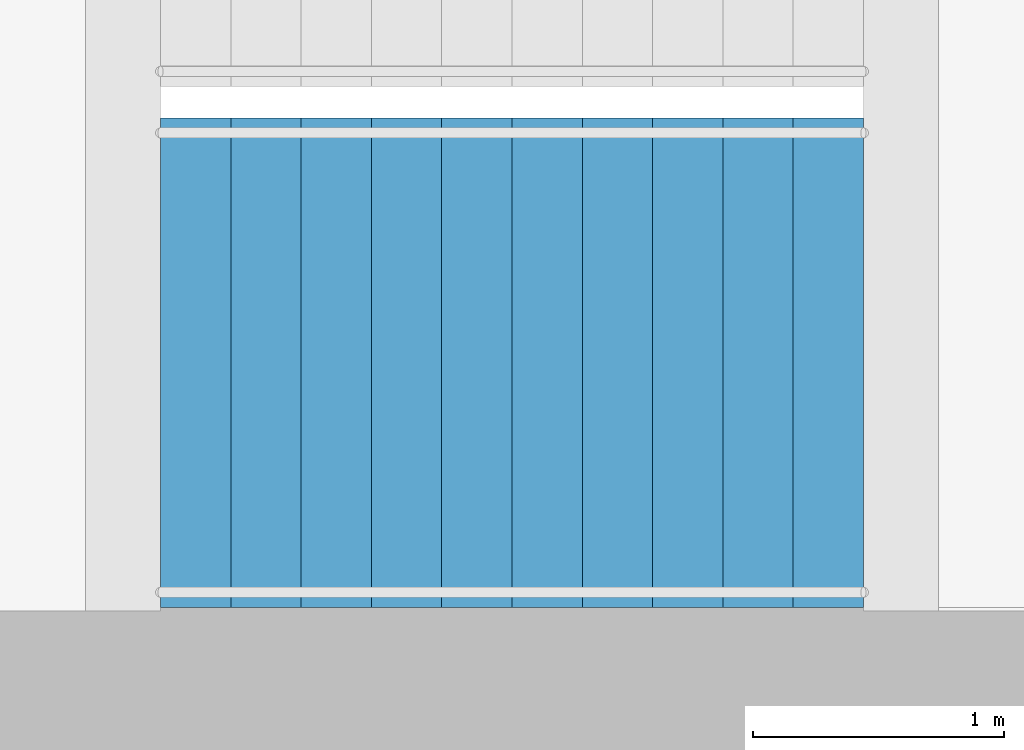
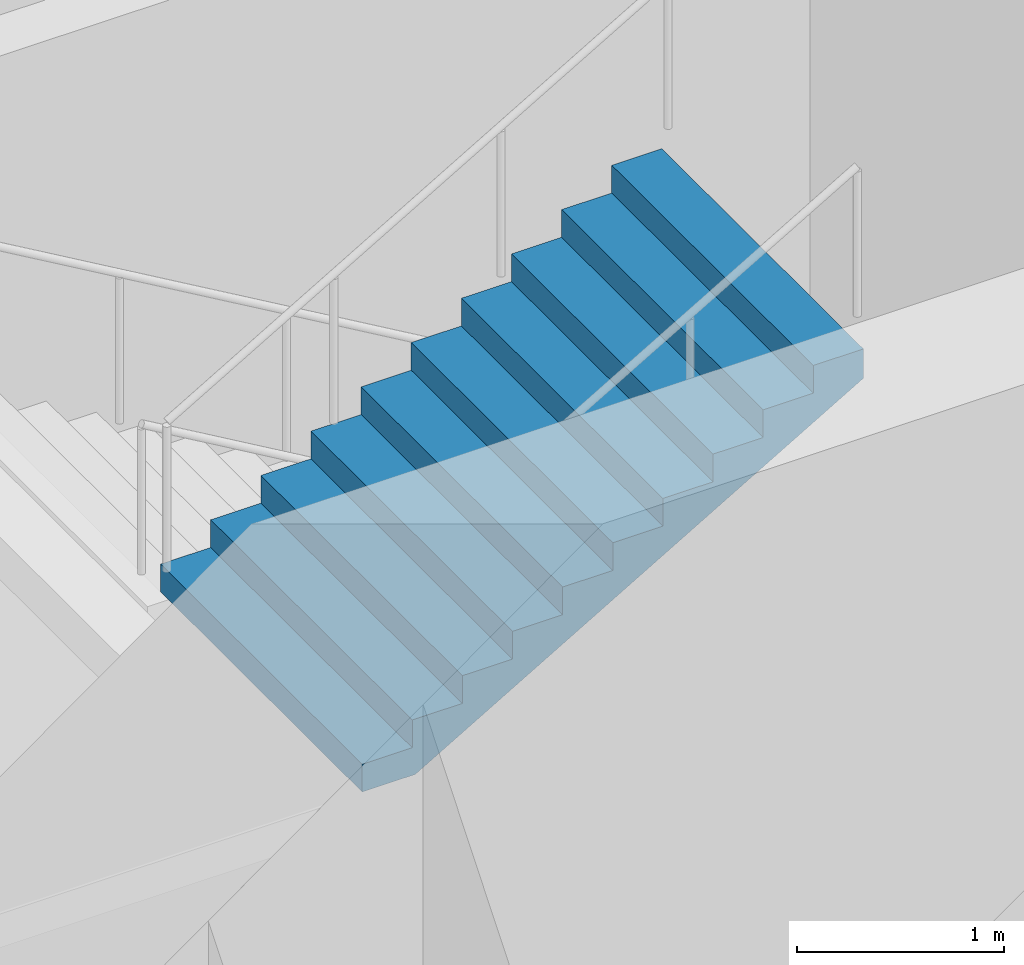
# One storey, part 19 of 22: 1 stair flight, 1 element without a shape of its own.
"""IFC4 building model written with IfcOpenShell, lengths in metres."""

from ifc_helpers import new_model, si_unit, direction, frame, origin, place, context, subcontext, project, spatial, triangles, material, type_object, element, aggregate, save


model = new_model("IFC4")

# Units and contexts
model_context = context("Model", 3, precision=1e-05, world=origin(), true_north=direction((0.0, 1.0)))
body_context = subcontext(model_context, "Body", "Model", "MODEL_VIEW")
ifc_project = project(units=[si_unit("LENGTHUNIT", "METRE"), si_unit("AREAUNIT", "SQUARE_METRE"), si_unit("VOLUMEUNIT", "CUBIC_METRE"), si_unit("PLANEANGLEUNIT", "RADIAN"), si_unit("MASSUNIT", "GRAM", prefix="KILO")], contexts=[model_context])

# Site, building, storey
site_placement = place(None, origin())
site = spatial("IfcSite", under=ifc_project, at=site_placement, CompositionType="ELEMENT")
building_placement = place(site_placement, origin())
building = spatial("IfcBuilding", under=site, at=building_placement, Name="Orbita Commons", CompositionType="ELEMENT")
storey_placement = place(building_placement, frame((0.0, 0.0, 201.10009765625)))
storey = spatial("IfcBuildingStorey", under=building, at=storey_placement, Name="L50", CompositionType="ELEMENT", Elevation=201.10009765625)

# Stair, stair flight
ifc_material_1 = material(Name="Precast concrete C40/50", Category="concrete")
stair_type = type_object("IfcStairType", Name="Exit stair S2 4 flights 11 risers 164", PredefinedType="HALF_TURN_STAIR", material=ifc_material_1)
stair_placement = place(storey_placement, origin())
stair = element("IfcStair", 1, at=stair_placement, inside=storey, type_object=stair_type, Name="Exit stair S2 L50", PredefinedType="HALF_TURN_STAIR")
ifc_material_2 = material(Name="Precast concrete C40/50", Category="concrete")
stair_flight_type = type_object("IfcStairFlightType", Name="Stair flight 11 risers 164 x 280", PredefinedType="STRAIGHT", material=ifc_material_2)
stair_flight_placement = place(storey_placement, frame((60.75, 27.199951171875, 5.39990234375), z_axis=(0.0, 0.0, 1.0), x_axis=(1.0, 0.0, 0.0)))
stair_flight = element("IfcStairFlight", 2, at=stair_flight_placement, type_object=stair_flight_type, Name="S2 flight 4", NumberOfRisers=11, NumberOfTreads=10, PredefinedType="STRAIGHT", RiserHeight=0.163636364, TreadLength=0.28, context=body_context, shape_type="Tessellation", body=[
    triangles([(0.0, 0.974976, 0.0), (0.0, 0.974976, 0.020455), (0.0, 0.81248, 0.020455), (0.0, 0.81248, 0.0), (0.0, 0.649984, 0.020455), (0.0, 0.649984, 0.0), (0.0, 0.487488, 0.020455), (0.0, 0.487488, 0.0), (0.0, 0.324992, 0.020455), (0.0, 0.324992, 0.0), (0.0, 0.162496, 0.020455), (0.0, 0.162496, 0.0), (0.0, 0.0, 0.020455), (0.0, 0.0, 0.0), (0.0, -0.162496, 0.020455), (0.0, -0.162496, 0.0), (0.0, -0.324992, 0.020455), (0.0, -0.324992, 0.0), (0.0, -0.487488, 0.020455), (0.0, -0.487488, 0.0), (0.0, -0.649984, 0.020455), (0.0, -0.649984, 0.0), (0.0, -0.81248, 0.020455), (0.0, -0.81248, 0.0), (0.0, -0.974976, 0.020455), (0.0, -0.974976, 0.0), (0.0, 0.974976, 0.040909), (0.0, 0.81248, 0.040909), (0.0, 0.649984, 0.040909), (0.0, 0.487488, 0.040909), (0.0, 0.324992, 0.040909), (0.0, 0.162496, 0.040909), (0.0, 0.0, 0.040909), (0.0, -0.162496, 0.040909), (0.0, -0.324992, 0.040909), (0.0, -0.487488, 0.040909), (0.0, -0.649984, 0.040909), (0.0, -0.81248, 0.040909), (0.0, -0.974976, 0.040909), (0.0, 0.974976, 0.061364), (0.0, 0.81248, 0.061364), (0.0, 0.649984, 0.061364), (0.0, 0.487488, 0.061364), (0.0, 0.324992, 0.061364), (0.0, 0.162496, 0.061364), (0.0, 0.0, 0.061364), (0.0, -0.162496, 0.061364), (0.0, -0.324992, 0.061364), (0.0, -0.487488, 0.061364), (0.0, -0.649984, 0.061364), (0.0, -0.81248, 0.061364), (0.0, -0.974976, 0.061364), (0.0, 0.974976, 0.081818), (0.0, 0.81248, 0.081818), (0.0, 0.649984, 0.081818), (0.0, 0.487488, 0.081818), (0.0, 0.324992, 0.081818), (0.0, 0.162496, 0.081818), (0.0, 0.0, 0.081818), (0.0, -0.162496, 0.081818), (0.0, -0.324992, 0.081818), (0.0, -0.487488, 0.081818), (0.0, -0.649984, 0.081818), (0.0, -0.81248, 0.081818), (0.0, -0.974976, 0.081818), (0.0, 0.974976, 0.102273), (0.0, 0.81248, 0.102273), (0.0, 0.649984, 0.102273), (0.0, 0.487488, 0.102273), (0.0, 0.324992, 0.102273), (0.0, 0.162496, 0.102273), (0.0, 0.0, 0.102273), (0.0, -0.162496, 0.102273), (0.0, -0.324992, 0.102273), (0.0, -0.487488, 0.102273), (0.0, -0.649984, 0.102273), (0.0, -0.81248, 0.102273), (0.0, -0.974976, 0.102273), (0.0, 0.974976, 0.122727), (0.0, 0.81248, 0.122727), (0.0, 0.649984, 0.122727), (0.0, 0.487488, 0.122727), (0.0, 0.324992, 0.122727), (0.0, 0.162496, 0.122727), (0.0, 0.0, 0.122727), (0.0, -0.162496, 0.122727), (0.0, -0.324992, 0.122727), (0.0, -0.487488, 0.122727), (0.0, -0.649984, 0.122727), (0.0, -0.81248, 0.122727), (0.0, -0.974976, 0.122727), (0.0, 0.974976, 0.143182), (0.0, 0.81248, 0.143182), (0.0, 0.649984, 0.143182), (0.0, 0.487488, 0.143182), (0.0, 0.324992, 0.143182), (0.0, 0.162496, 0.143182), (0.0, 0.0, 0.143182), (0.0, -0.162496, 0.143182), (0.0, -0.324992, 0.143182), (0.0, -0.487488, 0.143182), (0.0, -0.649984, 0.143182), (0.0, -0.81248, 0.143182), (0.0, -0.974976, 0.143182), (0.0, 0.974976, 0.163636), (0.0, 0.81248, 0.163636), (0.0, 0.649984, 0.163636), (0.0, 0.487488, 0.163636), (0.0, 0.324992, 0.163636), (0.0, 0.162496, 0.163636), (0.0, 0.0, 0.163636), (0.0, -0.162496, 0.163636), (0.0, -0.324992, 0.163636), (0.0, -0.487488, 0.163636), (0.0, -0.649984, 0.163636), (0.0, -0.81248, 0.163636), (0.0, -0.974976, 0.163636), (0.28, 0.974976, 0.163636), (0.28, 0.81248, 0.163636), (0.28, 0.649984, 0.163636), (0.28, 0.487488, 0.163636), (0.28, 0.324992, 0.163636), (0.28, 0.162496, 0.163636), (0.28, 0.0, 0.163636), (0.28, -0.162496, 0.163636), (0.28, -0.324992, 0.163636), (0.28, -0.487488, 0.163636), (0.28, -0.649984, 0.163636), (0.28, -0.81248, 0.163636), (0.28, -0.974976, 0.163636), (0.28, 0.974976, 0.327273), (0.28, 0.81248, 0.327273), (0.28, 0.649984, 0.327273), (0.28, 0.487488, 0.327273), (0.28, 0.324992, 0.327273), (0.28, 0.162496, 0.327273), (0.28, 0.0, 0.327273), (0.28, -0.162496, 0.327273), (0.28, -0.324992, 0.327273), (0.28, -0.487488, 0.327273), (0.28, -0.649984, 0.327273), (0.28, -0.81248, 0.327273), (0.28, -0.974976, 0.327273), (0.56, 0.974976, 0.327273), (0.56, 0.81248, 0.327273), (0.56, 0.649984, 0.327273), (0.56, 0.487488, 0.327273), (0.56, 0.324992, 0.327273), (0.56, 0.162496, 0.327273), (0.56, 0.0, 0.327273), (0.56, -0.162496, 0.327273), (0.56, -0.324992, 0.327273), (0.56, -0.487488, 0.327273), (0.56, -0.649984, 0.327273), (0.56, -0.81248, 0.327273), (0.56, -0.974976, 0.327273), (0.56, 0.974976, 0.490909), (0.56, 0.81248, 0.490909), (0.56, 0.649984, 0.490909), (0.56, 0.487488, 0.490909), (0.56, 0.324992, 0.490909), (0.56, 0.162496, 0.490909), (0.56, 0.0, 0.490909), (0.56, -0.162496, 0.490909), (0.56, -0.324992, 0.490909), (0.56, -0.487488, 0.490909), (0.56, -0.649984, 0.490909), (0.56, -0.81248, 0.490909), (0.56, -0.974976, 0.490909), (0.84, 0.974976, 0.490909), (0.84, 0.81248, 0.490909), (0.84, 0.649984, 0.490909), (0.84, 0.487488, 0.490909), (0.84, 0.324992, 0.490909), (0.84, 0.162496, 0.490909), (0.84, 0.0, 0.490909), (0.84, -0.162496, 0.490909), (0.84, -0.324992, 0.490909), (0.84, -0.487488, 0.490909), (0.84, -0.649984, 0.490909), (0.84, -0.81248, 0.490909), (0.84, -0.974976, 0.490909), (0.84, 0.974976, 0.654545), (0.84, 0.81248, 0.654545), (0.84, 0.649984, 0.654545), (0.84, 0.487488, 0.654545), (0.84, 0.324992, 0.654545), (0.84, 0.162496, 0.654545), (0.84, 0.0, 0.654545), (0.84, -0.162496, 0.654545), (0.84, -0.324992, 0.654545), (0.84, -0.487488, 0.654545), (0.84, -0.649984, 0.654545), (0.84, -0.81248, 0.654545), (0.84, -0.974976, 0.654545), (1.12, 0.974976, 0.654545), (1.12, 0.81248, 0.654545), (1.12, 0.649984, 0.654545), (1.12, 0.487488, 0.654545), (1.12, 0.324992, 0.654545), (1.12, 0.162496, 0.654545), (1.12, 0.0, 0.654545), (1.12, -0.162496, 0.654545), (1.12, -0.324992, 0.654545), (1.12, -0.487488, 0.654545), (1.12, -0.649984, 0.654545), (1.12, -0.81248, 0.654545), (1.12, -0.974976, 0.654545), (1.12, 0.974976, 0.818182), (1.12, 0.81248, 0.818182), (1.12, 0.649984, 0.818182), (1.12, 0.487488, 0.818182), (1.12, 0.324992, 0.818182), (1.12, 0.162496, 0.818182), (1.12, 0.0, 0.818182), (1.12, -0.162496, 0.818182), (1.12, -0.324992, 0.818182), (1.12, -0.487488, 0.818182), (1.12, -0.649984, 0.818182), (1.12, -0.81248, 0.818182), (1.12, -0.974976, 0.818182), (1.4, 0.974976, 0.818182), (1.4, 0.81248, 0.818182), (1.4, 0.649984, 0.818182), (1.4, 0.487488, 0.818182), (1.4, 0.324992, 0.818182), (1.4, 0.162496, 0.818182), (1.4, 0.0, 0.818182), (1.4, -0.162496, 0.818182), (1.4, -0.324992, 0.818182), (1.4, -0.487488, 0.818182), (1.4, -0.649984, 0.818182), (1.4, -0.81248, 0.818182), (1.4, -0.974976, 0.818182), (1.4, 0.974976, 0.981818), (1.4, 0.81248, 0.981818), (1.4, 0.649984, 0.981818), (1.4, 0.487488, 0.981818), (1.4, 0.324992, 0.981818), (1.4, 0.162496, 0.981818), (1.4, 0.0, 0.981818), (1.4, -0.162496, 0.981818), (1.4, -0.324992, 0.981818), (1.4, -0.487488, 0.981818), (1.4, -0.649984, 0.981818), (1.4, -0.81248, 0.981818), (1.4, -0.974976, 0.981818), (1.68, 0.974976, 0.981818), (1.68, 0.81248, 0.981818), (1.68, 0.649984, 0.981818), (1.68, 0.487488, 0.981818), (1.68, 0.324992, 0.981818), (1.68, 0.162496, 0.981818), (1.68, 0.0, 0.981818), (1.68, -0.162496, 0.981818), (1.68, -0.324992, 0.981818), (1.68, -0.487488, 0.981818), (1.68, -0.649984, 0.981818), (1.68, -0.81248, 0.981818), (1.68, -0.974976, 0.981818), (1.68, 0.974976, 1.145455), (1.68, 0.81248, 1.145455), (1.68, 0.649984, 1.145455), (1.68, 0.487488, 1.145455), (1.68, 0.324992, 1.145455), (1.68, 0.162496, 1.145455), (1.68, 0.0, 1.145455), (1.68, -0.162496, 1.145455), (1.68, -0.324992, 1.145455), (1.68, -0.487488, 1.145455), (1.68, -0.649984, 1.145455), (1.68, -0.81248, 1.145455), (1.68, -0.974976, 1.145455), (1.96, 0.974976, 1.145455), (1.96, 0.81248, 1.145455), (1.96, 0.649984, 1.145455), (1.96, 0.487488, 1.145455), (1.96, 0.324992, 1.145455), (1.96, 0.162496, 1.145455), (1.96, 0.0, 1.145455), (1.96, -0.162496, 1.145455), (1.96, -0.324992, 1.145455), (1.96, -0.487488, 1.145455), (1.96, -0.649984, 1.145455), (1.96, -0.81248, 1.145455), (1.96, -0.974976, 1.145455), (1.96, 0.974976, 1.309091), (1.96, 0.81248, 1.309091), (1.96, 0.649984, 1.309091), (1.96, 0.487488, 1.309091), (1.96, 0.324992, 1.309091), (1.96, 0.162496, 1.309091), (1.96, 0.0, 1.309091), (1.96, -0.162496, 1.309091), (1.96, -0.324992, 1.309091), (1.96, -0.487488, 1.309091), (1.96, -0.649984, 1.309091), (1.96, -0.81248, 1.309091), (1.96, -0.974976, 1.309091), (2.24, 0.974976, 1.309091), (2.24, 0.81248, 1.309091), (2.24, 0.649984, 1.309091), (2.24, 0.487488, 1.309091), (2.24, 0.324992, 1.309091), (2.24, 0.162496, 1.309091), (2.24, 0.0, 1.309091), (2.24, -0.162496, 1.309091), (2.24, -0.324992, 1.309091), (2.24, -0.487488, 1.309091), (2.24, -0.649984, 1.309091), (2.24, -0.81248, 1.309091), (2.24, -0.974976, 1.309091), (2.24, 0.974976, 1.472727), (2.24, 0.81248, 1.472727), (2.24, 0.649984, 1.472727), (2.24, 0.487488, 1.472727), (2.24, 0.324992, 1.472727), (2.24, 0.162496, 1.472727), (2.24, 0.0, 1.472727), (2.24, -0.162496, 1.472727), (2.24, -0.324992, 1.472727), (2.24, -0.487488, 1.472727), (2.24, -0.649984, 1.472727), (2.24, -0.81248, 1.472727), (2.24, -0.974976, 1.472727), (2.52, 0.974976, 1.472727), (2.52, 0.81248, 1.472727), (2.52, 0.649984, 1.472727), (2.52, 0.487488, 1.472727), (2.52, 0.324992, 1.472727), (2.52, 0.162496, 1.472727), (2.52, 0.0, 1.472727), (2.52, -0.162496, 1.472727), (2.52, -0.324992, 1.472727), (2.52, -0.487488, 1.472727), (2.52, -0.649984, 1.472727), (2.52, -0.81248, 1.472727), (2.52, -0.974976, 1.472727), (2.52, 0.974976, 1.636364), (2.52, 0.81248, 1.636364), (2.52, 0.649984, 1.636364), (2.52, 0.487488, 1.636364), (2.52, 0.324992, 1.636364), (2.52, 0.162496, 1.636364), (2.52, 0.0, 1.636364), (2.52, -0.162496, 1.636364), (2.52, -0.324992, 1.636364), (2.52, -0.487488, 1.636364), (2.52, -0.649984, 1.636364), (2.52, -0.81248, 1.636364), (2.52, -0.974976, 1.636364), (2.8, 0.974976, 1.636364), (2.8, 0.81248, 1.636364), (2.8, 0.649984, 1.636364), (2.8, 0.487488, 1.636364), (2.8, 0.324992, 1.636364), (2.8, 0.162496, 1.636364), (2.8, 0.0, 1.636364), (2.8, -0.162496, 1.636364), (2.8, -0.324992, 1.636364), (2.8, -0.487488, 1.636364), (2.8, -0.649984, 1.636364), (2.8, -0.81248, 1.636364), (2.8, -0.974976, 1.636364), (2.8, 0.974976, 1.614661), (2.8, 0.81248, 1.614661), (2.8, 0.649984, 1.614661), (2.8, 0.487488, 1.614661), (2.8, 0.324992, 1.614661), (2.8, 0.162496, 1.614661), (2.8, 0.0, 1.614661), (2.8, -0.162496, 1.614661), (2.8, -0.324992, 1.614661), (2.8, -0.487488, 1.614661), (2.8, -0.649984, 1.614661), (2.8, -0.81248, 1.614661), (2.8, -0.974976, 1.614661), (2.8, 0.974976, 1.592958), (2.8, 0.81248, 1.592958), (2.8, 0.649984, 1.592958), (2.8, 0.487488, 1.592958), (2.8, 0.324992, 1.592958), (2.8, 0.162496, 1.592958), (2.8, 0.0, 1.592958), (2.8, -0.162496, 1.592958), (2.8, -0.324992, 1.592958), (2.8, -0.487488, 1.592958), (2.8, -0.649984, 1.592958), (2.8, -0.81248, 1.592958), (2.8, -0.974976, 1.592958), (2.8, 0.974976, 1.571255), (2.8, 0.81248, 1.571255), (2.8, 0.649984, 1.571255), (2.8, 0.487488, 1.571255), (2.8, 0.324992, 1.571255), (2.8, 0.162496, 1.571255), (2.8, 0.0, 1.571255), (2.8, -0.162496, 1.571255), (2.8, -0.324992, 1.571255), (2.8, -0.487488, 1.571255), (2.8, -0.649984, 1.571255), (2.8, -0.81248, 1.571255), (2.8, -0.974976, 1.571255), (2.8, 0.974976, 1.549551), (2.8, 0.81248, 1.549551), (2.8, 0.649984, 1.549551), (2.8, 0.487488, 1.549551), (2.8, 0.324992, 1.549551), (2.8, 0.162496, 1.549551), (2.8, 0.0, 1.549551), (2.8, -0.162496, 1.549551), (2.8, -0.324992, 1.549551), (2.8, -0.487488, 1.549551), (2.8, -0.649984, 1.549551), (2.8, -0.81248, 1.549551), (2.8, -0.974976, 1.549551), (2.8, 0.974976, 1.527848), (2.8, 0.81248, 1.527848), (2.8, 0.649984, 1.527848), (2.8, 0.487488, 1.527848), (2.8, 0.324992, 1.527848), (2.8, 0.162496, 1.527848), (2.8, 0.0, 1.527848), (2.8, -0.162496, 1.527848), (2.8, -0.324992, 1.527848), (2.8, -0.487488, 1.527848), (2.8, -0.649984, 1.527848), (2.8, -0.81248, 1.527848), (2.8, -0.974976, 1.527848), (2.8, 0.974976, 1.506145), (2.8, 0.81248, 1.506145), (2.8, 0.649984, 1.506145), (2.8, 0.487488, 1.506145), (2.8, 0.324992, 1.506145), (2.8, 0.162496, 1.506145), (2.8, 0.0, 1.506145), (2.8, -0.162496, 1.506145), (2.8, -0.324992, 1.506145), (2.8, -0.487488, 1.506145), (2.8, -0.649984, 1.506145), (2.8, -0.81248, 1.506145), (2.8, -0.974976, 1.506145), (2.8, 0.974976, 1.484442), (2.8, 0.81248, 1.484442), (2.8, 0.649984, 1.484442), (2.8, 0.487488, 1.484442), (2.8, 0.324992, 1.484442), (2.8, 0.162496, 1.484442), (2.8, 0.0, 1.484442), (2.8, -0.162496, 1.484442), (2.8, -0.324992, 1.484442), (2.8, -0.487488, 1.484442), (2.8, -0.649984, 1.484442), (2.8, -0.81248, 1.484442), (2.8, -0.974976, 1.484442), (2.8, 0.974976, 1.462739), (2.8, 0.81248, 1.462739), (2.8, 0.649984, 1.462739), (2.8, 0.487488, 1.462739), (2.8, 0.324992, 1.462739), (2.8, 0.162496, 1.462739), (2.8, 0.0, 1.462739), (2.8, -0.162496, 1.462739), (2.8, -0.324992, 1.462739), (2.8, -0.487488, 1.462739), (2.8, -0.649984, 1.462739), (2.8, -0.81248, 1.462739), (2.8, -0.974976, 1.462739), (0.29709, 0.974976, 0.0), (0.29709, 0.81248, 0.0), (0.29709, 0.649984, 0.0), (0.29709, 0.487488, 0.0), (0.29709, 0.324992, 0.0), (0.29709, 0.162496, 0.0), (0.29709, 0.0, 0.0), (0.29709, -0.162496, 0.0), (0.29709, -0.324992, 0.0), (0.29709, -0.487488, 0.0), (0.29709, -0.649984, 0.0), (0.29709, -0.81248, 0.0), (0.29709, -0.974976, 0.0)], [[3, 2, 1], [4, 3, 1], [5, 3, 4], [6, 5, 4], [7, 5, 6], [8, 7, 6], [9, 7, 8], [10, 9, 8], [11, 9, 10], [12, 11, 10], [13, 11, 12], [14, 13, 12], [15, 13, 14], [16, 15, 14], [17, 15, 16], [18, 17, 16], [19, 17, 18], [20, 19, 18], [21, 19, 20], [22, 21, 20], [23, 21, 22], [24, 23, 22], [25, 23, 24], [26, 25, 24], [28, 27, 2], [3, 28, 2], [29, 28, 3], [5, 29, 3], [30, 29, 5], [7, 30, 5], [31, 30, 7], [9, 31, 7], [32, 31, 9], [11, 32, 9], [33, 32, 11], [13, 33, 11], [34, 33, 13], [15, 34, 13], [35, 34, 15], [17, 35, 15], [36, 35, 17], [19, 36, 17], [37, 36, 19], [21, 37, 19], [38, 37, 21], [23, 38, 21], [39, 38, 23], [25, 39, 23], [41, 40, 27], [28, 41, 27], [42, 41, 28], [29, 42, 28], [43, 42, 29], [30, 43, 29], [44, 43, 30], [31, 44, 30], [45, 44, 31], [32, 45, 31], [46, 45, 32], [33, 46, 32], [47, 46, 33], [34, 47, 33], [48, 47, 34], [35, 48, 34], [49, 48, 35], [36, 49, 35], [50, 49, 36], [37, 50, 36], [51, 50, 37], [38, 51, 37], [52, 51, 38], [39, 52, 38], [54, 53, 40], [41, 54, 40], [55, 54, 41], [42, 55, 41], [56, 55, 42], [43, 56, 42], [57, 56, 43], [44, 57, 43], [58, 57, 44], [45, 58, 44], [59, 58, 45], [46, 59, 45], [60, 59, 46], [47, 60, 46], [61, 60, 47], [48, 61, 47], [62, 61, 48], [49, 62, 48], [63, 62, 49], [50, 63, 49], [64, 63, 50], [51, 64, 50], [65, 64, 51], [52, 65, 51], [67, 66, 53], [54, 67, 53], [68, 67, 54], [55, 68, 54], [69, 68, 55], [56, 69, 55], [70, 69, 56], [57, 70, 56], [71, 70, 57], [58, 71, 57], [72, 71, 58], [59, 72, 58], [73, 72, 59], [60, 73, 59], [74, 73, 60], [61, 74, 60], [75, 74, 61], [62, 75, 61], [76, 75, 62], [63, 76, 62], [77, 76, 63], [64, 77, 63], [78, 77, 64], [65, 78, 64], [80, 79, 66], [67, 80, 66], [81, 80, 67], [68, 81, 67], [82, 81, 68], [69, 82, 68], [83, 82, 69], [70, 83, 69], [84, 83, 70], [71, 84, 70], [85, 84, 71], [72, 85, 71], [86, 85, 72], [73, 86, 72], [87, 86, 73], [74, 87, 73], [88, 87, 74], [75, 88, 74], [89, 88, 75], [76, 89, 75], [90, 89, 76], [77, 90, 76], [91, 90, 77], [78, 91, 77], [93, 92, 79], [80, 93, 79], [94, 93, 80], [81, 94, 80], [95, 94, 81], [82, 95, 81], [96, 95, 82], [83, 96, 82], [97, 96, 83], [84, 97, 83], [98, 97, 84], [85, 98, 84], [99, 98, 85], [86, 99, 85], [100, 99, 86], [87, 100, 86], [101, 100, 87], [88, 101, 87], [102, 101, 88], [89, 102, 88], [103, 102, 89], [90, 103, 89], [104, 103, 90], [91, 104, 90], [106, 105, 92], [93, 106, 92], [107, 106, 93], [94, 107, 93], [108, 107, 94], [95, 108, 94], [109, 108, 95], [96, 109, 95], [110, 109, 96], [97, 110, 96], [111, 110, 97], [98, 111, 97], [112, 111, 98], [99, 112, 98], [113, 112, 99], [100, 113, 99], [114, 113, 100], [101, 114, 100], [115, 114, 101], [102, 115, 101], [116, 115, 102], [103, 116, 102], [117, 116, 103], [104, 117, 103], [119, 118, 105], [106, 119, 105], [120, 119, 106], [107, 120, 106], [121, 120, 107], [108, 121, 107], [122, 121, 108], [109, 122, 108], [123, 122, 109], [110, 123, 109], [124, 123, 110], [111, 124, 110], [125, 124, 111], [112, 125, 111], [126, 125, 112], [113, 126, 112], [127, 126, 113], [114, 127, 113], [128, 127, 114], [115, 128, 114], [129, 128, 115], [116, 129, 115], [130, 129, 116], [117, 130, 116], [132, 131, 118], [119, 132, 118], [133, 132, 119], [120, 133, 119], [134, 133, 120], [121, 134, 120], [135, 134, 121], [122, 135, 121], [136, 135, 122], [123, 136, 122], [137, 136, 123], [124, 137, 123], [138, 137, 124], [125, 138, 124], [139, 138, 125], [126, 139, 125], [140, 139, 126], [127, 140, 126], [141, 140, 127], [128, 141, 127], [142, 141, 128], [129, 142, 128], [143, 142, 129], [130, 143, 129], [145, 144, 131], [132, 145, 131], [146, 145, 132], [133, 146, 132], [147, 146, 133], [134, 147, 133], [148, 147, 134], [135, 148, 134], [149, 148, 135], [136, 149, 135], [150, 149, 136], [137, 150, 136], [151, 150, 137], [138, 151, 137], [152, 151, 138], [139, 152, 138], [153, 152, 139], [140, 153, 139], [154, 153, 140], [141, 154, 140], [155, 154, 141], [142, 155, 141], [156, 155, 142], [143, 156, 142], [158, 157, 144], [145, 158, 144], [159, 158, 145], [146, 159, 145], [160, 159, 146], [147, 160, 146], [161, 160, 147], [148, 161, 147], [162, 161, 148], [149, 162, 148], [163, 162, 149], [150, 163, 149], [164, 163, 150], [151, 164, 150], [165, 164, 151], [152, 165, 151], [166, 165, 152], [153, 166, 152], [167, 166, 153], [154, 167, 153], [168, 167, 154], [155, 168, 154], [169, 168, 155], [156, 169, 155], [171, 170, 157], [158, 171, 157], [172, 171, 158], [159, 172, 158], [173, 172, 159], [160, 173, 159], [174, 173, 160], [161, 174, 160], [175, 174, 161], [162, 175, 161], [176, 175, 162], [163, 176, 162], [177, 176, 163], [164, 177, 163], [178, 177, 164], [165, 178, 164], [179, 178, 165], [166, 179, 165], [180, 179, 166], [167, 180, 166], [181, 180, 167], [168, 181, 167], [182, 181, 168], [169, 182, 168], [184, 183, 170], [171, 184, 170], [185, 184, 171], [172, 185, 171], [186, 185, 172], [173, 186, 172], [187, 186, 173], [174, 187, 173], [188, 187, 174], [175, 188, 174], [189, 188, 175], [176, 189, 175], [190, 189, 176], [177, 190, 176], [191, 190, 177], [178, 191, 177], [192, 191, 178], [179, 192, 178], [193, 192, 179], [180, 193, 179], [194, 193, 180], [181, 194, 180], [195, 194, 181], [182, 195, 181], [197, 196, 183], [184, 197, 183], [198, 197, 184], [185, 198, 184], [199, 198, 185], [186, 199, 185], [200, 199, 186], [187, 200, 186], [201, 200, 187], [188, 201, 187], [202, 201, 188], [189, 202, 188], [203, 202, 189], [190, 203, 189], [204, 203, 190], [191, 204, 190], [205, 204, 191], [192, 205, 191], [206, 205, 192], [193, 206, 192], [207, 206, 193], [194, 207, 193], [208, 207, 194], [195, 208, 194], [210, 209, 196], [197, 210, 196], [211, 210, 197], [198, 211, 197], [212, 211, 198], [199, 212, 198], [213, 212, 199], [200, 213, 199], [214, 213, 200], [201, 214, 200], [215, 214, 201], [202, 215, 201], [216, 215, 202], [203, 216, 202], [217, 216, 203], [204, 217, 203], [218, 217, 204], [205, 218, 204], [219, 218, 205], [206, 219, 205], [220, 219, 206], [207, 220, 206], [221, 220, 207], [208, 221, 207], [223, 222, 209], [210, 223, 209], [224, 223, 210], [211, 224, 210], [225, 224, 211], [212, 225, 211], [226, 225, 212], [213, 226, 212], [227, 226, 213], [214, 227, 213], [228, 227, 214], [215, 228, 214], [229, 228, 215], [216, 229, 215], [230, 229, 216], [217, 230, 216], [231, 230, 217], [218, 231, 217], [232, 231, 218], [219, 232, 218], [233, 232, 219], [220, 233, 219], [234, 233, 220], [221, 234, 220], [236, 235, 222], [223, 236, 222], [237, 236, 223], [224, 237, 223], [238, 237, 224], [225, 238, 224], [239, 238, 225], [226, 239, 225], [240, 239, 226], [227, 240, 226], [241, 240, 227], [228, 241, 227], [242, 241, 228], [229, 242, 228], [243, 242, 229], [230, 243, 229], [244, 243, 230], [231, 244, 230], [245, 244, 231], [232, 245, 231], [246, 245, 232], [233, 246, 232], [247, 246, 233], [234, 247, 233], [249, 248, 235], [236, 249, 235], [250, 249, 236], [237, 250, 236], [251, 250, 237], [238, 251, 237], [252, 251, 238], [239, 252, 238], [253, 252, 239], [240, 253, 239], [254, 253, 240], [241, 254, 240], [255, 254, 241], [242, 255, 241], [256, 255, 242], [243, 256, 242], [257, 256, 243], [244, 257, 243], [258, 257, 244], [245, 258, 244], [259, 258, 245], [246, 259, 245], [260, 259, 246], [247, 260, 246], [262, 261, 248], [249, 262, 248], [263, 262, 249], [250, 263, 249], [264, 263, 250], [251, 264, 250], [265, 264, 251], [252, 265, 251], [266, 265, 252], [253, 266, 252], [267, 266, 253], [254, 267, 253], [268, 267, 254], [255, 268, 254], [269, 268, 255], [256, 269, 255], [270, 269, 256], [257, 270, 256], [271, 270, 257], [258, 271, 257], [272, 271, 258], [259, 272, 258], [273, 272, 259], [260, 273, 259], [275, 274, 261], [262, 275, 261], [276, 275, 262], [263, 276, 262], [277, 276, 263], [264, 277, 263], [278, 277, 264], [265, 278, 264], [279, 278, 265], [266, 279, 265], [280, 279, 266], [267, 280, 266], [281, 280, 267], [268, 281, 267], [282, 281, 268], [269, 282, 268], [283, 282, 269], [270, 283, 269], [284, 283, 270], [271, 284, 270], [285, 284, 271], [272, 285, 271], [286, 285, 272], [273, 286, 272], [288, 287, 274], [275, 288, 274], [289, 288, 275], [276, 289, 275], [290, 289, 276], [277, 290, 276], [291, 290, 277], [278, 291, 277], [292, 291, 278], [279, 292, 278], [293, 292, 279], [280, 293, 279], [294, 293, 280], [281, 294, 280], [295, 294, 281], [282, 295, 281], [296, 295, 282], [283, 296, 282], [297, 296, 283], [284, 297, 283], [298, 297, 284], [285, 298, 284], [299, 298, 285], [286, 299, 285], [301, 300, 287], [288, 301, 287], [302, 301, 288], [289, 302, 288], [303, 302, 289], [290, 303, 289], [304, 303, 290], [291, 304, 290], [305, 304, 291], [292, 305, 291], [306, 305, 292], [293, 306, 292], [307, 306, 293], [294, 307, 293], [308, 307, 294], [295, 308, 294], [309, 308, 295], [296, 309, 295], [310, 309, 296], [297, 310, 296], [311, 310, 297], [298, 311, 297], [312, 311, 298], [299, 312, 298], [314, 313, 300], [301, 314, 300], [315, 314, 301], [302, 315, 301], [316, 315, 302], [303, 316, 302], [317, 316, 303], [304, 317, 303], [318, 317, 304], [305, 318, 304], [319, 318, 305], [306, 319, 305], [320, 319, 306], [307, 320, 306], [321, 320, 307], [308, 321, 307], [322, 321, 308], [309, 322, 308], [323, 322, 309], [310, 323, 309], [324, 323, 310], [311, 324, 310], [325, 324, 311], [312, 325, 311], [327, 326, 313], [314, 327, 313], [328, 327, 314], [315, 328, 314], [329, 328, 315], [316, 329, 315], [330, 329, 316], [317, 330, 316], [331, 330, 317], [318, 331, 317], [332, 331, 318], [319, 332, 318], [333, 332, 319], [320, 333, 319], [334, 333, 320], [321, 334, 320], [335, 334, 321], [322, 335, 321], [336, 335, 322], [323, 336, 322], [337, 336, 323], [324, 337, 323], [338, 337, 324], [325, 338, 324], [340, 339, 326], [327, 340, 326], [341, 340, 327], [328, 341, 327], [342, 341, 328], [329, 342, 328], [343, 342, 329], [330, 343, 329], [344, 343, 330], [331, 344, 330], [345, 344, 331], [332, 345, 331], [346, 345, 332], [333, 346, 332], [347, 346, 333], [334, 347, 333], [348, 347, 334], [335, 348, 334], [349, 348, 335], [336, 349, 335], [350, 349, 336], [337, 350, 336], [351, 350, 337], [338, 351, 337], [353, 352, 339], [340, 353, 339], [354, 353, 340], [341, 354, 340], [355, 354, 341], [342, 355, 341], [356, 355, 342], [343, 356, 342], [357, 356, 343], [344, 357, 343], [358, 357, 344], [345, 358, 344], [359, 358, 345], [346, 359, 345], [360, 359, 346], [347, 360, 346], [361, 360, 347], [348, 361, 347], [362, 361, 348], [349, 362, 348], [363, 362, 349], [350, 363, 349], [364, 363, 350], [351, 364, 350], [366, 365, 352], [353, 366, 352], [367, 366, 353], [354, 367, 353], [368, 367, 354], [355, 368, 354], [369, 368, 355], [356, 369, 355], [370, 369, 356], [357, 370, 356], [371, 370, 357], [358, 371, 357], [372, 371, 358], [359, 372, 358], [373, 372, 359], [360, 373, 359], [374, 373, 360], [361, 374, 360], [375, 374, 361], [362, 375, 361], [376, 375, 362], [363, 376, 362], [377, 376, 363], [364, 377, 363], [379, 378, 365], [366, 379, 365], [380, 379, 366], [367, 380, 366], [381, 380, 367], [368, 381, 367], [382, 381, 368], [369, 382, 368], [383, 382, 369], [370, 383, 369], [384, 383, 370], [371, 384, 370], [385, 384, 371], [372, 385, 371], [386, 385, 372], [373, 386, 372], [387, 386, 373], [374, 387, 373], [388, 387, 374], [375, 388, 374], [389, 388, 375], [376, 389, 375], [390, 389, 376], [377, 390, 376], [392, 391, 378], [379, 392, 378], [393, 392, 379], [380, 393, 379], [394, 393, 380], [381, 394, 380], [395, 394, 381], [382, 395, 381], [396, 395, 382], [383, 396, 382], [397, 396, 383], [384, 397, 383], [398, 397, 384], [385, 398, 384], [399, 398, 385], [386, 399, 385], [400, 399, 386], [387, 400, 386], [401, 400, 387], [388, 401, 387], [402, 401, 388], [389, 402, 388], [403, 402, 389], [390, 403, 389], [405, 404, 391], [392, 405, 391], [406, 405, 392], [393, 406, 392], [407, 406, 393], [394, 407, 393], [408, 407, 394], [395, 408, 394], [409, 408, 395], [396, 409, 395], [410, 409, 396], [397, 410, 396], [411, 410, 397], [398, 411, 397], [412, 411, 398], [399, 412, 398], [413, 412, 399], [400, 413, 399], [414, 413, 400], [401, 414, 400], [415, 414, 401], [402, 415, 401], [416, 415, 402], [403, 416, 402], [418, 417, 404], [405, 418, 404], [419, 418, 405], [406, 419, 405], [420, 419, 406], [407, 420, 406], [421, 420, 407], [408, 421, 407], [422, 421, 408], [409, 422, 408], [423, 422, 409], [410, 423, 409], [424, 423, 410], [411, 424, 410], [425, 424, 411], [412, 425, 411], [426, 425, 412], [413, 426, 412], [427, 426, 413], [414, 427, 413], [428, 427, 414], [415, 428, 414], [429, 428, 415], [416, 429, 415], [431, 430, 417], [418, 431, 417], [432, 431, 418], [419, 432, 418], [433, 432, 419], [420, 433, 419], [434, 433, 420], [421, 434, 420], [435, 434, 421], [422, 435, 421], [436, 435, 422], [423, 436, 422], [437, 436, 423], [424, 437, 423], [438, 437, 424], [425, 438, 424], [439, 438, 425], [426, 439, 425], [440, 439, 426], [427, 440, 426], [441, 440, 427], [428, 441, 427], [442, 441, 428], [429, 442, 428], [444, 443, 430], [431, 444, 430], [445, 444, 431], [432, 445, 431], [446, 445, 432], [433, 446, 432], [447, 446, 433], [434, 447, 433], [448, 447, 434], [435, 448, 434], [449, 448, 435], [436, 449, 435], [450, 449, 436], [437, 450, 436], [451, 450, 437], [438, 451, 437], [452, 451, 438], [439, 452, 438], [453, 452, 439], [440, 453, 439], [454, 453, 440], [441, 454, 440], [455, 454, 441], [442, 455, 441], [457, 456, 443], [444, 457, 443], [458, 457, 444], [445, 458, 444], [459, 458, 445], [446, 459, 445], [460, 459, 446], [447, 460, 446], [461, 460, 447], [448, 461, 447], [462, 461, 448], [449, 462, 448], [463, 462, 449], [450, 463, 449], [464, 463, 450], [451, 464, 450], [465, 464, 451], [452, 465, 451], [466, 465, 452], [453, 466, 452], [467, 466, 453], [454, 467, 453], [468, 467, 454], [455, 468, 454], [470, 469, 456], [457, 470, 456], [471, 470, 457], [458, 471, 457], [472, 471, 458], [459, 472, 458], [473, 472, 459], [460, 473, 459], [474, 473, 460], [461, 474, 460], [475, 474, 461], [462, 475, 461], [476, 475, 462], [463, 476, 462], [477, 476, 463], [464, 477, 463], [478, 477, 464], [465, 478, 464], [479, 478, 465], [466, 479, 465], [480, 479, 466], [467, 480, 466], [481, 480, 467], [468, 481, 467], [4, 1, 469], [470, 4, 469], [6, 4, 470], [471, 6, 470], [8, 6, 471], [472, 8, 471], [10, 8, 472], [473, 10, 472], [12, 10, 473], [474, 12, 473], [14, 12, 474], [475, 14, 474], [16, 14, 475], [476, 16, 475], [18, 16, 476], [477, 18, 476], [20, 18, 477], [478, 20, 477], [22, 20, 478], [479, 22, 478], [24, 22, 479], [480, 24, 479], [26, 24, 480], [481, 26, 480], [456, 469, 1], [26, 481, 468], [443, 456, 1], [26, 468, 455], [430, 443, 1], [26, 455, 442], [417, 430, 1], [26, 442, 429], [404, 417, 1], [26, 429, 416], [391, 404, 1], [26, 416, 403], [378, 391, 1], [26, 403, 390], [365, 378, 1], [26, 390, 377], [339, 352, 365], [377, 364, 351], [326, 339, 365], [377, 351, 338], [300, 313, 326], [338, 325, 312], [300, 326, 365], [377, 338, 312], [274, 287, 300], [312, 299, 286], [274, 300, 365], [377, 312, 286], [248, 261, 274], [286, 273, 260], [248, 274, 365], [377, 286, 260], [222, 235, 248], [260, 247, 234], [222, 248, 365], [377, 260, 234], [196, 209, 222], [234, 221, 208], [196, 222, 365], [377, 234, 208], [170, 183, 196], [208, 195, 182], [170, 196, 365], [377, 208, 182], [144, 157, 170], [182, 169, 156], [144, 170, 365], [377, 182, 156], [118, 131, 144], [156, 143, 130], [118, 144, 365], [377, 156, 130], [118, 365, 1], [26, 377, 130], [92, 105, 118], [130, 117, 104], [79, 92, 118], [130, 104, 91], [66, 79, 118], [130, 91, 78], [53, 66, 118], [130, 78, 65], [40, 53, 118], [130, 65, 52], [27, 40, 118], [130, 52, 39], [2, 27, 118], [130, 39, 25], [1, 2, 118], [130, 25, 26]], closed=True),
])
aggregate(stair, [stair_flight])

save(model, "model.ifc")
